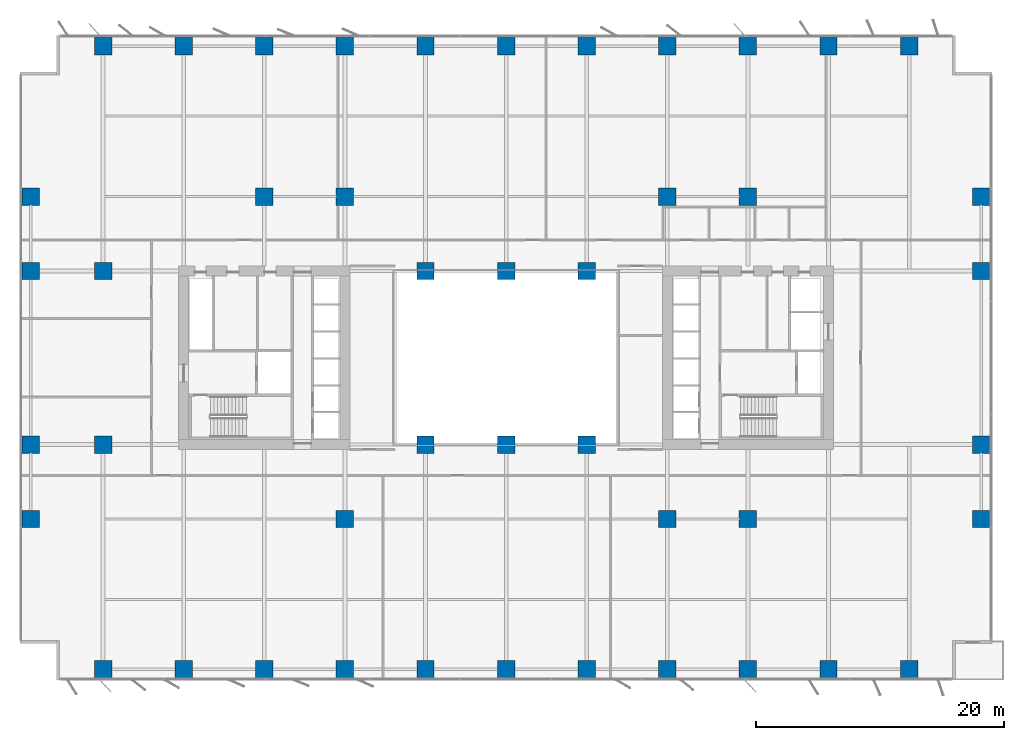
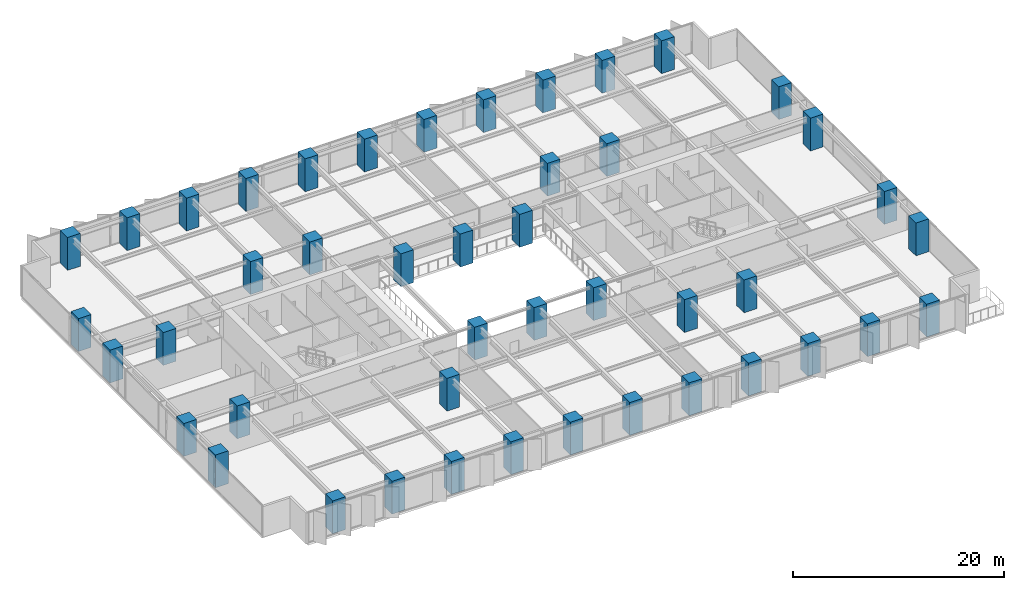
# One storey, part 1 of 20: 45 columns.
"""IFC4 building model written with IfcOpenShell, lengths in metres."""

from ifc_helpers import new_model, si_unit, direction, frame, origin, origin_2d, place, context, subcontext, project, spatial, rectangle, extrude, material, material_profile, profile_set, type_object, element, save


model = new_model("IFC4")

# Units and contexts
model_context = context("Model", 3, precision=1e-05, world=origin(), true_north=direction((0.0, 1.0)))
body_context = subcontext(model_context, "Body", "Model", "MODEL_VIEW")
ifc_project = project(units=[si_unit("LENGTHUNIT", "METRE"), si_unit("AREAUNIT", "SQUARE_METRE"), si_unit("VOLUMEUNIT", "CUBIC_METRE"), si_unit("PLANEANGLEUNIT", "RADIAN"), si_unit("MASSUNIT", "GRAM", prefix="KILO")], contexts=[model_context])

# Site, building, storey
site_placement = place(None, origin())
site = spatial("IfcSite", under=ifc_project, at=site_placement, CompositionType="ELEMENT")
building_placement = place(site_placement, origin())
building = spatial("IfcBuilding", under=site, at=building_placement, Name="Putna Gate Headquarters", CompositionType="ELEMENT")
storey_placement = place(building_placement, frame((0.0, 0.0, 50.60009765625)))
storey = spatial("IfcBuildingStorey", under=building, at=storey_placement, Name="L11", CompositionType="ELEMENT", Elevation=50.60009765625)

# Columns
ifc_material = material(Name="Concrete C60/75", Category="concrete")
ifc_material_profile_1 = material_profile(ifc_material, rectangle(XDim=1.39990234375, YDim=1.39990234375, at=origin_2d()), Name="Concrete C60/75")
ifc_profile_set_1 = profile_set([ifc_material_profile_1], Name="Concrete C60/75")
column_type_1 = type_object("IfcColumnType", Name="COL-RC1400-EXT", PredefinedType="COLUMN", material=ifc_profile_set_1)
for number, where, z_axis, x_axis, name in (
    (1, (6.5, 0.8798828125, 0.0), (0.0, 0.0, 1.0), (1.0, 0.0, 0.0), "L11 Column CP-S6"),
    (2, (6.5, 51.1201171875, 0.0), (0.0, 0.0, 1.0), (1.0, 0.0, 0.0), "L11 Column CP-N6"),
    (3, (13.0, 0.8798828125, 0.0), (0.0, 0.0, 1.0), (1.0, 0.0, 0.0), "L11 Column CP-S13"),
    (4, (13.0, 51.1201171875, 0.0), (0.0, 0.0, 1.0), (1.0, 0.0, 0.0), "L11 Column CP-N13"),
    (5, (19.5, 0.8798828125, 0.0), (0.0, 0.0, 1.0), (1.0, 0.0, 0.0), "L11 Column CP-S19"),
    (6, (19.5, 51.1201171875, 0.0), (0.0, 0.0, 1.0), (1.0, 0.0, 0.0), "L11 Column CP-N19"),
    (7, (26.0, 0.8798828125, 0.0), (0.0, 0.0, 1.0), (1.0, 0.0, 0.0), "L11 Column CP-S26"),
    (8, (26.0, 51.1201171875, 0.0), (0.0, 0.0, 1.0), (1.0, 0.0, 0.0), "L11 Column CP-N26"),
    (9, (32.5, 0.8798828125, 0.0), (0.0, 0.0, 1.0), (1.0, 0.0, 0.0), "L11 Column CP-S32"),
    (10, (32.5, 51.1201171875, 0.0), (0.0, 0.0, 1.0), (1.0, 0.0, 0.0), "L11 Column CP-N32"),
    (11, (39.0, 0.8798828125, 0.0), (0.0, 0.0, 1.0), (1.0, 0.0, 0.0), "L11 Column CP-S39"),
    (12, (39.0, 51.1201171875, 0.0), (0.0, 0.0, 1.0), (1.0, 0.0, 0.0), "L11 Column CP-N39"),
    (13, (45.5, 0.8798828125, 0.0), (0.0, 0.0, 1.0), (1.0, 0.0, 0.0), "L11 Column CP-S45"),
    (14, (45.5, 51.1201171875, 0.0), (0.0, 0.0, 1.0), (1.0, 0.0, 0.0), "L11 Column CP-N45"),
    (15, (52.0, 0.8798828125, 0.0), (0.0, 0.0, 1.0), (1.0, 0.0, 0.0), "L11 Column CP-S52"),
    (16, (52.0, 51.1201171875, 0.0), (0.0, 0.0, 1.0), (1.0, 0.0, 0.0), "L11 Column CP-N52"),
    (17, (58.5, 0.8798828125, 0.0), (0.0, 0.0, 1.0), (1.0, 0.0, 0.0), "L11 Column CP-S58"),
    (18, (58.5, 51.1201171875, 0.0), (0.0, 0.0, 1.0), (1.0, 0.0, 0.0), "L11 Column CP-N58"),
    (19, (65.0, 0.8798828125, 0.0), (0.0, 0.0, 1.0), (1.0, 0.0, 0.0), "L11 Column CP-S65"),
    (20, (65.0, 51.1201171875, 0.0), (0.0, 0.0, 1.0), (1.0, 0.0, 0.0), "L11 Column CP-N65"),
    (21, (71.5, 0.8798828125, 0.0), (0.0, 0.0, 1.0), (1.0, 0.0, 0.0), "L11 Column CP-S71"),
    (22, (71.5, 51.1201171875, 0.0), (0.0, 0.0, 1.0), (1.0, 0.0, 0.0), "L11 Column CP-N71"),
    (23, (0.679931640625, 13.0, 0.0), (0.0, 0.0, 1.0), (1.0, 0.0, 0.0), "L11 Column CP-W13"),
    (24, (77.320068359375, 13.0, 0.0), (0.0, 0.0, 1.0), (1.0, 0.0, 0.0), "L11 Column CP-E13"),
    (25, (0.679931640625, 19.0, 0.0), (0.0, 0.0, 1.0), (1.0, 0.0, 0.0), "L11 Column CP-W19"),
    (26, (77.320068359375, 19.0, 0.0), (0.0, 0.0, 1.0), (1.0, 0.0, 0.0), "L11 Column CP-E19"),
    (27, (0.679931640625, 33.0, 0.0), (0.0, 0.0, 1.0), (1.0, 0.0, 0.0), "L11 Column CP-W33"),
    (28, (77.320068359375, 33.0, 0.0), (0.0, 0.0, 1.0), (1.0, 0.0, 0.0), "L11 Column CP-E33"),
    (29, (0.679931640625, 39.0, 0.0), (0.0, 0.0, 1.0), (1.0, 0.0, 0.0), "L11 Column CP-W39"),
    (30, (77.320068359375, 39.0, 0.0), (0.0, 0.0, 1.0), (1.0, 0.0, 0.0), "L11 Column CP-E39"),
):
    element("IfcColumn", number, at=place(storey_placement, frame(where, z_axis=z_axis, x_axis=x_axis)), inside=storey, type_object=column_type_1, Name=name, PredefinedType="COLUMN", context=body_context, shape_type="SweptSolid", body=[
        extrude(rectangle(XDim=1.39990234375, YDim=1.39990234375, at=origin_2d()), origin(), (0.0, 0.0, 1.0), 3.7998046875),
    ])
ifc_material_profile_2 = material_profile(ifc_material, rectangle(XDim=1.39990234375, YDim=1.39990234375, at=origin_2d()), Name="Concrete C60/75")
ifc_profile_set_2 = profile_set([ifc_material_profile_2], Name="Concrete C60/75")
column_type_2 = type_object("IfcColumnType", Name="COL-RC1400-INT", PredefinedType="COLUMN", material=ifc_profile_set_2)
for number, where, z_axis, x_axis, name in (
    (31, (19.5, 39.0, 0.0), (0.0, 0.0, 1.0), (1.0, 0.0, 0.0), "L11 Column CSI-WN"),
    (32, (58.5, 13.0, 0.0), (0.0, 0.0, 1.0), (1.0, 0.0, 0.0), "L11 Column CSI-ES"),
    (33, (58.5, 39.0, 0.0), (0.0, 0.0, 1.0), (1.0, 0.0, 0.0), "L11 Column CSI-EN"),
    (34, (6.5, 19.0, 0.0), (0.0, 0.0, 1.0), (1.0, 0.0, 0.0), "L11 Column CSI-WM"),
    (35, (6.5, 33.0, 0.0), (0.0, 0.0, 1.0), (1.0, 0.0, 0.0), "L11 Column CSI-WNW"),
    (36, (32.5, 19.0, 0.0), (0.0, 0.0, 1.0), (1.0, 0.0, 0.0), "L11 Column CAI-S32"),
    (37, (32.5, 33.0, 0.0), (0.0, 0.0, 1.0), (1.0, 0.0, 0.0), "L11 Column CAI-N32"),
    (38, (39.0, 19.0, 0.0), (0.0, 0.0, 1.0), (1.0, 0.0, 0.0), "L11 Column CAI-S39"),
    (39, (39.0, 33.0, 0.0), (0.0, 0.0, 1.0), (1.0, 0.0, 0.0), "L11 Column CAI-N39"),
    (40, (45.5, 19.0, 0.0), (0.0, 0.0, 1.0), (1.0, 0.0, 0.0), "L11 Column CAI-S45"),
    (41, (45.5, 33.0, 0.0), (0.0, 0.0, 1.0), (1.0, 0.0, 0.0), "L11 Column CAI-N45"),
    (42, (26.0, 13.0, 0.0), (0.0, 0.0, 1.0), (1.0, 0.0, 0.0), "L11 Column CAP-WS"),
    (43, (26.0, 39.0, 0.0), (0.0, 0.0, 1.0), (1.0, 0.0, 0.0), "L11 Column CAP-WN"),
    (44, (52.0, 13.0, 0.0), (0.0, 0.0, 1.0), (1.0, 0.0, 0.0), "L11 Column CAP-ES"),
    (45, (52.0, 39.0, 0.0), (0.0, 0.0, 1.0), (1.0, 0.0, 0.0), "L11 Column CAP-EN"),
):
    element("IfcColumn", number, at=place(storey_placement, frame(where, z_axis=z_axis, x_axis=x_axis)), inside=storey, type_object=column_type_2, Name=name, PredefinedType="COLUMN", context=body_context, shape_type="SweptSolid", body=[
        extrude(rectangle(XDim=1.39990234375, YDim=1.39990234375, at=origin_2d()), origin(), (0.0, 0.0, 1.0), 3.7998046875),
    ])

save(model, "model.ifc")
